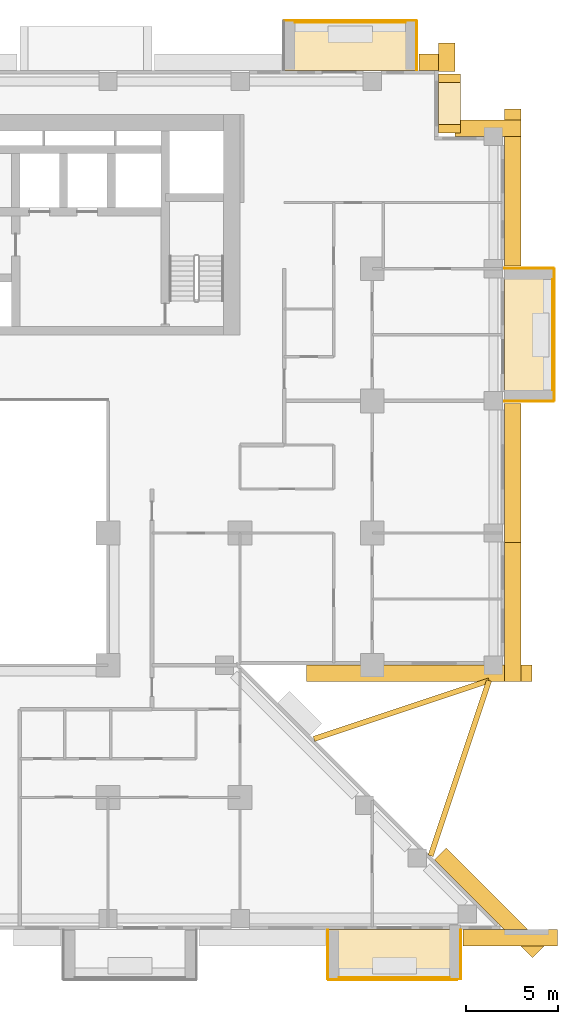
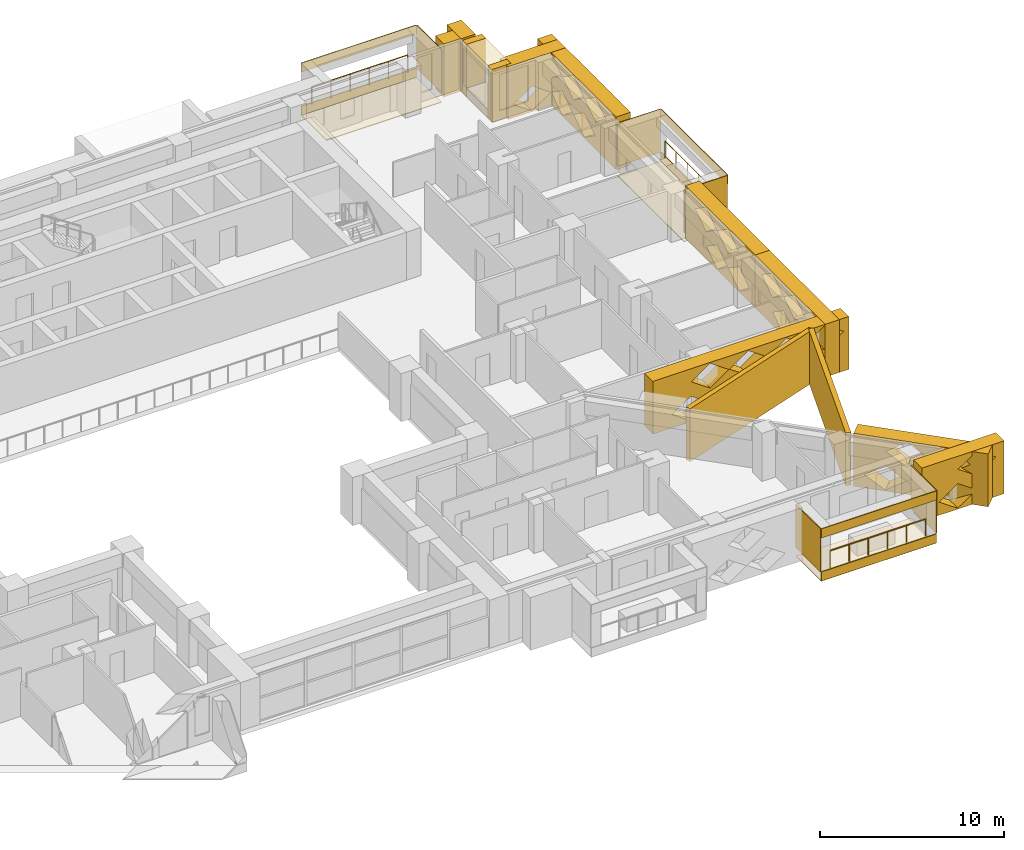
# One storey, part 17 of 17: 29 coverings, 3 railings.
"""IFC4 building model written with IfcOpenShell, lengths in metres."""

from ifc_helpers import new_model, si_unit, direction, frame, origin, origin_2d, place, context, subcontext, project, spatial, polyline, circle, outline, extrude, material, layer, layer_set, type_object, element, save


model = new_model("IFC4")

# Units and contexts
model_context = context("Model", 3, precision=1e-05, world=origin(), true_north=direction((0.0, 1.0)))
body_context = subcontext(model_context, "Body", "Model", "MODEL_VIEW")
ifc_project = project(units=[si_unit("LENGTHUNIT", "METRE"), si_unit("AREAUNIT", "SQUARE_METRE"), si_unit("VOLUMEUNIT", "CUBIC_METRE"), si_unit("PLANEANGLEUNIT", "RADIAN"), si_unit("MASSUNIT", "GRAM", prefix="KILO")], contexts=[model_context])

# Site, building, storey
site_placement = place(None, origin())
site = spatial("IfcSite", under=ifc_project, at=site_placement, CompositionType="ELEMENT")
building_placement = place(site_placement, origin())
building = spatial("IfcBuilding", under=site, at=building_placement, Name="Saffron Iwan Residences", CompositionType="ELEMENT")
storey_placement = place(building_placement, frame((0.0, 0.0, 62.0)))
storey = spatial("IfcBuildingStorey", under=building, at=storey_placement, Name="L15", CompositionType="ELEMENT", Elevation=62.0)

# Railings
ifc_material_1 = material(Name="Stainless steel 316", Category="steel")
railing_type = type_object("IfcRailingType", Name="BALCONY GUARD 1150", PredefinedType="GUARDRAIL", material=ifc_material_1)
railing_1_placement = place(storey_placement, frame((89.02490234375, 63.0, 0.0)))
element("IfcRailing", 1, at=railing_1_placement, inside=storey, type_object=railing_type, Name="Balcony guard L15 F2-0", PredefinedType="GUARDRAIL", context=body_context, shape_type="SweptSolid", body=[
    extrude(circle(Radius=0.02392578125, at=origin_2d()), frame((0.0, 0.0, 1.1259765625), z_axis=(0.0, 1.0, 0.0), x_axis=(-1.0, 0.0, 0.0)), (0.0, 0.0, 1.0), 6.0),
    extrude(circle(Radius=0.02099609375, at=origin_2d()), origin(), (0.0, 0.0, 1.0), 1.101806640625),
    extrude(circle(Radius=0.02099609375, at=origin_2d()), frame((0.0, 1.199951171875, 0.0)), (0.0, 0.0, 1.0), 1.101806640625),
    extrude(circle(Radius=0.02099609375, at=origin_2d()), frame((0.0, 2.39990234375, 0.0)), (0.0, 0.0, 1.0), 1.101806640625),
    extrude(circle(Radius=0.02099609375, at=origin_2d()), frame((0.0, 3.60009765625, 0.0)), (0.0, 0.0, 1.0), 1.101806640625),
    extrude(circle(Radius=0.02099609375, at=origin_2d()), frame((0.0, 4.800048828125, 0.0)), (0.0, 0.0, 1.0), 1.101806640625),
    extrude(circle(Radius=0.02099609375, at=origin_2d()), frame((0.0, 6.0, 0.0)), (0.0, 0.0, 1.0), 1.101806640625),
])
railing_2_placement = place(storey_placement, frame((81.0, 83.02490234375, 0.0)))
element("IfcRailing", 2, at=railing_2_placement, inside=storey, type_object=railing_type, Name="Balcony guard L15 F5-0", PredefinedType="GUARDRAIL", context=body_context, shape_type="SweptSolid", body=[
    extrude(circle(Radius=0.02392578125, at=origin_2d()), frame((0.0, 0.0, 1.1259765625), z_axis=(-1.0, 0.0, 0.0), x_axis=(0.0, -1.0, 0.0)), (0.0, 0.0, 1.0), 6.0),
    extrude(circle(Radius=0.02099609375, at=origin_2d()), origin(), (0.0, 0.0, 1.0), 1.101806640625),
    extrude(circle(Radius=0.02099609375, at=origin_2d()), frame((-1.199951171875, 0.0, 0.0)), (0.0, 0.0, 1.0), 1.101806640625),
    extrude(circle(Radius=0.02099609375, at=origin_2d()), frame((-2.39990234375, 0.0, 0.0)), (0.0, 0.0, 1.0), 1.101806640625),
    extrude(circle(Radius=0.02099609375, at=origin_2d()), frame((-3.60009765625, 0.0, 0.0)), (0.0, 0.0, 1.0), 1.101806640625),
    extrude(circle(Radius=0.02099609375, at=origin_2d()), frame((-4.800048828125, 0.0, 0.0)), (0.0, 0.0, 1.0), 1.101806640625),
    extrude(circle(Radius=0.02099609375, at=origin_2d()), frame((-6.0, 0.0, 0.0)), (0.0, 0.0, 1.0), 1.101806640625),
])
railing_3_placement = place(storey_placement, frame((77.39990234375, 30.97509765625, 0.0)))
element("IfcRailing", 3, at=railing_3_placement, inside=storey, type_object=railing_type, Name="Balcony guard L15 11-3", PredefinedType="GUARDRAIL", context=body_context, shape_type="SweptSolid", body=[
    extrude(circle(Radius=0.02392578125, at=origin_2d()), frame((0.0, 0.0, 1.1259765625), z_axis=(1.0, 0.0, 0.0), x_axis=(0.0, 1.0, 0.0)), (0.0, 0.0, 1.0), 6.0),
    extrude(circle(Radius=0.02099609375, at=origin_2d()), origin(), (0.0, 0.0, 1.0), 1.101806640625),
    extrude(circle(Radius=0.02099609375, at=origin_2d()), frame((1.199951171875, 0.0, 0.0)), (0.0, 0.0, 1.0), 1.101806640625),
    extrude(circle(Radius=0.02099609375, at=origin_2d()), frame((2.39990234375, 0.0, 0.0)), (0.0, 0.0, 1.0), 1.101806640625),
    extrude(circle(Radius=0.02099609375, at=origin_2d()), frame((3.60009765625, 0.0, 0.0)), (0.0, 0.0, 1.0), 1.101806640625),
    extrude(circle(Radius=0.02099609375, at=origin_2d()), frame((4.800048828125, 0.0, 0.0)), (0.0, 0.0, 1.0), 1.101806640625),
    extrude(circle(Radius=0.02099609375, at=origin_2d()), frame((6.0, 0.0, 0.0)), (0.0, 0.0, 1.0), 1.101806640625),
])

# Coverings
ifc_material_2 = material(Name="Precast concrete C40/50 white painted", Category="concrete")
ifc_layer_1 = layer(ifc_material_2, 0.050048828125)
ifc_layer_set_1 = layer_set([ifc_layer_1], Name="Precast concrete C40/50 white painted")
covering_type_1 = type_object("IfcCoveringType", Name="FRAME SKIN PRECAST WHITE 50", PredefinedType="CLADDING", material=ifc_layer_set_1)
for number, where, name in (
    (4, (0.0, 0.0, -0.60009765625), "Frame skin slab edge L15 F2-0"),
    (5, (0.0, 0.0, 2.25), "Frame skin fascia L15 F2-0"),
):
    element("IfcCovering", number, at=place(storey_placement, frame(where)), inside=storey, type_object=covering_type_1, Name=name, PredefinedType="CLADDING", context=body_context, shape_type="SweptSolid", body=[
        extrude(outline(polyline([(89.14990234375, 62.39990234375), (89.14990234375, 69.60009765625), (89.10009765625, 69.60009765625), (89.10009765625, 62.39990234375), (89.14990234375, 62.39990234375)])), origin(), (0.0, 0.0, 1.0), 0.60009765625),
    ])
covering_1_placement = place(storey_placement, frame((0.0, 0.0, -0.64990234375)))
element("IfcCovering", 6, at=covering_1_placement, inside=storey, type_object=covering_type_1, Name="Frame skin soffit L15 F2-0", PredefinedType="CLADDING", context=body_context, shape_type="SweptSolid", body=[
    extrude(outline(polyline([(89.10009765625, 62.39990234375), (89.10009765625, 69.60009765625), (86.39990234375, 69.60009765625), (86.39990234375, 62.39990234375), (89.10009765625, 62.39990234375)])), origin(), (0.0, 0.0, 1.0), 0.0498046875),
])
covering_2_placement = place(storey_placement, origin())
element("IfcCovering", 7, at=covering_2_placement, inside=storey, type_object=covering_type_1, Name="Frame skin fin L15 F2-0a", PredefinedType="CLADDING", context=body_context, shape_type="SweptSolid", body=[
    extrude(outline(polyline([(89.10009765625, 62.35009765625), (89.10009765625, 62.39990234375), (86.39990234375, 62.39990234375), (86.39990234375, 62.35009765625), (89.10009765625, 62.35009765625)])), origin(), (0.0, 0.0, 1.0), 2.85009765625),
])
covering_3_placement = place(storey_placement, origin())
element("IfcCovering", 8, at=covering_3_placement, inside=storey, type_object=covering_type_1, Name="Frame skin fin L15 F2-0b", PredefinedType="CLADDING", context=body_context, shape_type="SweptSolid", body=[
    extrude(outline(polyline([(89.10009765625, 69.60009765625), (89.10009765625, 69.64990234375), (86.39990234375, 69.64990234375), (86.39990234375, 69.60009765625), (89.10009765625, 69.60009765625)])), origin(), (0.0, 0.0, 1.0), 2.85009765625),
])
for number, where, name in (
    (9, (0.0, 0.0, -0.60009765625), "Frame skin slab edge L15 F5-0"),
    (10, (0.0, 0.0, 2.25), "Frame skin fascia L15 F5-0"),
):
    element("IfcCovering", number, at=place(storey_placement, frame(where)), inside=storey, type_object=covering_type_1, Name=name, PredefinedType="CLADDING", context=body_context, shape_type="SweptSolid", body=[
        extrude(outline(polyline([(81.60009765625, 83.14990234375), (74.39990234375, 83.14990234375), (74.39990234375, 83.10009765625), (81.60009765625, 83.10009765625), (81.60009765625, 83.14990234375)])), origin(), (0.0, 0.0, 1.0), 0.60009765625),
    ])
covering_4_placement = place(storey_placement, frame((0.0, 0.0, -0.64990234375)))
element("IfcCovering", 11, at=covering_4_placement, inside=storey, type_object=covering_type_1, Name="Frame skin soffit L15 F5-0", PredefinedType="CLADDING", context=body_context, shape_type="SweptSolid", body=[
    extrude(outline(polyline([(81.60009765625, 83.10009765625), (74.39990234375, 83.10009765625), (74.39990234375, 80.39990234375), (81.60009765625, 80.39990234375), (81.60009765625, 83.10009765625)])), origin(), (0.0, 0.0, 1.0), 0.0498046875),
])
covering_5_placement = place(storey_placement, origin())
element("IfcCovering", 12, at=covering_5_placement, inside=storey, type_object=covering_type_1, Name="Frame skin fin L15 F5-0a", PredefinedType="CLADDING", context=body_context, shape_type="SweptSolid", body=[
    extrude(outline(polyline([(81.64990234375, 83.10009765625), (81.60009765625, 83.10009765625), (81.60009765625, 80.39990234375), (81.64990234375, 80.39990234375), (81.64990234375, 83.10009765625)])), origin(), (0.0, 0.0, 1.0), 2.85009765625),
])
for number, where, name in (
    (13, (0.0, 0.0, -0.60009765625), "Frame skin slab edge L15 11-3"),
    (14, (0.0, 0.0, 2.25), "Frame skin fascia L15 11-3"),
):
    element("IfcCovering", number, at=place(storey_placement, frame(where)), inside=storey, type_object=covering_type_1, Name=name, PredefinedType="CLADDING", context=body_context, shape_type="SweptSolid", body=[
        extrude(outline(polyline([(76.800048828125, 30.85009765625), (84.0, 30.85009765625), (84.0, 30.89990234375), (76.800048828125, 30.89990234375), (76.800048828125, 30.85009765625)])), origin(), (0.0, 0.0, 1.0), 0.60009765625),
    ])
covering_6_placement = place(storey_placement, frame((0.0, 0.0, -0.64990234375)))
element("IfcCovering", 15, at=covering_6_placement, inside=storey, type_object=covering_type_1, Name="Frame skin soffit L15 11-3", PredefinedType="CLADDING", context=body_context, shape_type="SweptSolid", body=[
    extrude(outline(polyline([(76.800048828125, 30.89990234375), (84.0, 30.89990234375), (84.0, 33.60009765625), (76.800048828125, 33.60009765625), (76.800048828125, 30.89990234375)])), origin(), (0.0, 0.0, 1.0), 0.0498046875),
])
covering_7_placement = place(storey_placement, origin())
element("IfcCovering", 16, at=covering_7_placement, inside=storey, type_object=covering_type_1, Name="Frame skin fin L15 11-3a", PredefinedType="CLADDING", context=body_context, shape_type="SweptSolid", body=[
    extrude(outline(polyline([(76.75, 30.89990234375), (76.800048828125, 30.89990234375), (76.800048828125, 33.60009765625), (76.75, 33.60009765625), (76.75, 30.89990234375)])), origin(), (0.0, 0.0, 1.0), 2.85009765625),
])
covering_8_placement = place(storey_placement, origin())
element("IfcCovering", 17, at=covering_8_placement, inside=storey, type_object=covering_type_1, Name="Frame skin fin L15 11-3b", PredefinedType="CLADDING", context=body_context, shape_type="SweptSolid", body=[
    extrude(outline(polyline([(84.0, 30.89990234375), (84.050048828125, 30.89990234375), (84.050048828125, 33.60009765625), (84.0, 33.60009765625), (84.0, 30.89990234375)])), origin(), (0.0, 0.0, 1.0), 2.85009765625),
])
ifc_material_3 = material(Name="Precast concrete C40/50", Category="concrete")
covering_type_2 = type_object("IfcCoveringType", Name="OUTER SKIN LATTICE SCREEN", PredefinedType="CLADDING", material=ifc_material_3)
covering_9_placement = place(storey_placement, frame((87.939453125, 32.060546875, -0.320068359375), z_axis=(0.706971125213, 0.70724241114, 0.0), x_axis=(-0.70724241114, 0.706971125213, 0.0)))
element("IfcCovering", 18, at=covering_9_placement, inside=storey, type_object=covering_type_2, Name="OUTER SKIN lattice screen L15 F0.0", PredefinedType="CLADDING", context=body_context, shape_type="SweptSolid", body=[
    extrude(outline(polyline([(0.0, 0.0), (7.559326171875, 0.0), (7.559326171875, 3.5), (0.0, 3.5), (0.0, 0.0)]), holes=[polyline([(2.197021484375, 0.875), (3.377197265625, 0.06005859375), (4.55712890625, 0.875), (3.377197265625, 1.68994140625), (2.197021484375, 0.875)]), polyline([(4.59716796875, 0.875), (5.777099609375, 0.06005859375), (6.95703125, 0.875), (5.777099609375, 1.68994140625), (4.59716796875, 0.875)]), polyline([(0.9970703125, 2.625), (2.177001953125, 1.81005859375), (3.357177734375, 2.625), (2.177001953125, 3.43994140625), (0.9970703125, 2.625)]), polyline([(3.397216796875, 2.625), (4.5771484375, 1.81005859375), (5.757080078125, 2.625), (4.5771484375, 3.43994140625), (3.397216796875, 2.625)])]), origin(), (0.0, 0.0, 1.0), 0.89990234375),
])
covering_10_placement = place(storey_placement, frame((75.6171875, 48.0, -0.320068359375), z_axis=(0.0, -1.0, 0.0), x_axis=(1.0, 0.0, 0.0)))
element("IfcCovering", 19, at=covering_10_placement, inside=storey, type_object=covering_type_2, Name="OUTER SKIN lattice screen L15 F1.0", PredefinedType="CLADDING", context=body_context, shape_type="SweptSolid", body=[
    extrude(outline(polyline([(0.0, 0.0), (12.282958984375, 0.0), (12.282958984375, 3.5), (0.0, 3.5), (0.0, 0.0)]), holes=[polyline([(1.202880859375, 0.875), (2.3828125, 0.06005859375), (3.56298828125, 0.875), (2.3828125, 1.68994140625), (1.202880859375, 0.875)]), polyline([(3.602783203125, 0.875), (4.782958984375, 0.06005859375), (5.962890625, 0.875), (4.782958984375, 1.68994140625), (3.602783203125, 0.875)]), polyline([(6.0029296875, 0.875), (7.182861328125, 0.06005859375), (8.36279296875, 0.875), (7.182861328125, 1.68994140625), (6.0029296875, 0.875)]), polyline([(8.40283203125, 0.875), (9.5830078125, 0.06005859375), (10.762939453125, 0.875), (9.5830078125, 1.68994140625), (8.40283203125, 0.875)]), polyline([(2.40283203125, 2.625), (3.5830078125, 1.81005859375), (4.762939453125, 2.625), (3.5830078125, 3.43994140625), (2.40283203125, 2.625)]), polyline([(4.802978515625, 2.625), (5.98291015625, 1.81005859375), (7.162841796875, 2.625), (5.98291015625, 3.43994140625), (4.802978515625, 2.625)]), polyline([(7.202880859375, 2.625), (8.3828125, 1.81005859375), (9.56298828125, 2.625), (8.3828125, 3.43994140625), (7.202880859375, 2.625)]), polyline([(9.602783203125, 2.625), (10.782958984375, 1.81005859375), (11.962890625, 2.625), (10.782958984375, 3.43994140625), (9.602783203125, 2.625)])]), origin(), (0.0, 0.0, 1.0), 0.89990234375),
])
covering_11_placement = place(storey_placement, frame((86.39990234375, 47.10009765625, -0.320068359375), z_axis=(1.0, 0.0, 0.0), x_axis=(0.0, 1.0, 0.0)))
element("IfcCovering", 20, at=covering_11_placement, inside=storey, type_object=covering_type_2, Name="OUTER SKIN lattice screen L15 F2.0", PredefinedType="CLADDING", context=body_context, shape_type="SweptSolid", body=[
    extrude(outline(polyline([(0.0, 0.0), (7.574951171875, 0.0), (7.574951171875, 3.5), (0.0, 3.5), (0.0, 0.0)]), holes=[polyline([(0.919921875, 0.875), (2.10009765625, 0.06005859375), (3.280029296875, 0.875), (2.10009765625, 1.68994140625), (0.919921875, 0.875)]), polyline([(3.320068359375, 0.875), (4.5, 0.06005859375), (5.679931640625, 0.875), (4.5, 1.68994140625), (3.320068359375, 0.875)]), polyline([(2.1201171875, 2.625), (3.300048828125, 1.81005859375), (4.47998046875, 2.625), (3.300048828125, 3.43994140625), (2.1201171875, 2.625)]), polyline([(4.52001953125, 2.625), (5.699951171875, 1.81005859375), (6.8798828125, 2.625), (5.699951171875, 3.43994140625), (4.52001953125, 2.625)])]), origin(), (0.0, 0.0, 1.0), 0.900146484375),
])
covering_12_placement = place(storey_placement, frame((86.39990234375, 54.675048828125, -0.320068359375), z_axis=(1.0, 0.0, 0.0), x_axis=(0.0, 1.0, 0.0)))
element("IfcCovering", 21, at=covering_12_placement, inside=storey, type_object=covering_type_2, Name="OUTER SKIN lattice screen L15 F2.1", PredefinedType="CLADDING", context=body_context, shape_type="SweptSolid", body=[
    extrude(outline(polyline([(0.0, 0.0), (7.574951171875, 0.0), (7.574951171875, 3.5), (0.0, 3.5), (0.0, 0.0)]), holes=[polyline([(0.544921875, 0.875), (1.72509765625, 0.06005859375), (2.905029296875, 0.875), (1.72509765625, 1.68994140625), (0.544921875, 0.875)]), polyline([(2.945068359375, 0.875), (4.125, 0.06005859375), (5.304931640625, 0.875), (4.125, 1.68994140625), (2.945068359375, 0.875)]), polyline([(1.7451171875, 2.625), (2.925048828125, 1.81005859375), (4.10498046875, 2.625), (2.925048828125, 3.43994140625), (1.7451171875, 2.625)]), polyline([(4.14501953125, 2.625), (5.324951171875, 1.81005859375), (6.5048828125, 2.625), (5.324951171875, 3.43994140625), (4.14501953125, 2.625)])]), origin(), (0.0, 0.0, 1.0), 0.900146484375),
])
covering_13_placement = place(storey_placement, frame((86.39990234375, 69.75, -0.320068359375), z_axis=(1.0, 0.0, 0.0), x_axis=(0.0, 1.0, 0.0)))
element("IfcCovering", 22, at=covering_13_placement, inside=storey, type_object=covering_type_2, Name="OUTER SKIN lattice screen L15 F2.2", PredefinedType="CLADDING", context=body_context, shape_type="SweptSolid", body=[
    extrude(outline(polyline([(0.0, 0.0), (8.550048828125, 0.0), (8.550048828125, 3.5), (0.0, 3.5), (0.0, 0.0)]), holes=[polyline([(2.27001953125, 0.875), (3.449951171875, 0.06005859375), (4.6298828125, 0.875), (3.449951171875, 1.68994140625), (2.27001953125, 0.875)]), polyline([(4.669921875, 0.875), (5.85009765625, 0.06005859375), (7.030029296875, 0.875), (5.85009765625, 1.68994140625), (4.669921875, 0.875)]), polyline([(1.070068359375, 2.625), (2.25, 1.81005859375), (3.429931640625, 2.625), (2.25, 3.43994140625), (1.070068359375, 2.625)]), polyline([(3.469970703125, 2.625), (4.64990234375, 1.81005859375), (5.830078125, 2.625), (4.64990234375, 3.43994140625), (3.469970703125, 2.625)]), polyline([(5.8701171875, 2.625), (7.050048828125, 1.81005859375), (8.22998046875, 2.625), (7.050048828125, 3.43994140625), (5.8701171875, 2.625)])]), origin(), (0.0, 0.0, 1.0), 0.900146484375),
])
covering_14_placement = place(storey_placement, frame((87.300048828125, 76.800048828125, -0.320068359375), z_axis=(0.0, 1.0, 0.0), x_axis=(-1.0, 0.0, 0.0)))
element("IfcCovering", 23, at=covering_14_placement, inside=storey, type_object=covering_type_2, Name="OUTER SKIN lattice screen L15 F3.0", PredefinedType="CLADDING", context=body_context, shape_type="SweptSolid", body=[
    extrude(outline(polyline([(0.0, 0.0), (3.60009765625, 0.0), (3.60009765625, 3.5), (0.0, 3.5), (0.0, 0.0)]), holes=[polyline([(0.919921875, 0.875), (2.10009765625, 0.06005859375), (3.280029296875, 0.875), (2.10009765625, 1.68994140625), (0.919921875, 0.875)])]), origin(), (0.0, 0.0, 1.0), 0.89990234375),
])
covering_15_placement = place(storey_placement, frame((82.800048828125, 80.35009765625, -0.320068359375), z_axis=(1.0, 0.0, 0.0), x_axis=(0.0, 1.0, 0.0)))
element("IfcCovering", 24, at=covering_15_placement, inside=storey, type_object=covering_type_2, Name="OUTER SKIN lattice screen L15 F4.0", PredefinedType="CLADDING", context=body_context, shape_type="SweptSolid", body=[
    extrude(outline(polyline([(0.0, 0.0), (1.550048828125, 0.0), (1.550048828125, 3.5), (0.0, 3.5), (0.0, 0.0)])), origin(), (0.0, 0.0, 1.0), 0.89990234375),
])
covering_16_placement = place(storey_placement, frame((83.699951171875, 80.39990234375, -0.320068359375), z_axis=(0.0, 1.0, 0.0), x_axis=(-1.0, 0.0, 0.0)))
element("IfcCovering", 25, at=covering_16_placement, inside=storey, type_object=covering_type_2, Name="OUTER SKIN lattice screen L15 F5.0", PredefinedType="CLADDING", context=body_context, shape_type="SweptSolid", body=[
    extrude(outline(polyline([(0.0, 0.0), (1.949951171875, 0.0), (1.949951171875, 3.5), (0.0, 3.5), (0.0, 0.0)])), origin(), (0.0, 0.0, 1.0), 0.900146484375),
])
covering_17_placement = place(storey_placement, frame((84.14990234375, 33.60009765625, -0.320068359375), z_axis=(0.0, -1.0, 0.0), x_axis=(1.0, 0.0, 0.0)))
element("IfcCovering", 26, at=covering_17_placement, inside=storey, type_object=covering_type_2, Name="OUTER SKIN lattice screen L15 F11.4", PredefinedType="CLADDING", context=body_context, shape_type="SweptSolid", body=[
    extrude(outline(polyline([(0.0, 0.0), (5.147216796875, 0.0), (5.147216796875, 3.5), (0.0, 3.5), (0.0, 0.0)]), holes=[polyline([(1.070068359375, 0.875), (2.25, 0.06005859375), (3.429931640625, 0.875), (2.25, 1.68994140625), (1.070068359375, 0.875)]), polyline([(2.27001953125, 2.625), (3.449951171875, 1.81005859375), (4.6298828125, 2.625), (3.449951171875, 3.43994140625), (2.27001953125, 2.625)])]), origin(), (0.0, 0.0, 1.0), 0.900146484375),
])
ifc_layer_2 = layer(ifc_material_2, 0.300048828125)
ifc_layer_set_2 = layer_set([ifc_layer_2], Name="Precast concrete C40/50 white painted")
covering_type_3 = type_object("IfcCoveringType", Name="PROW NOSE BLADE PRECAST WHITE", PredefinedType="CLADDING", material=ifc_layer_set_2)
covering_18_placement = place(storey_placement, frame((0.0, 0.0, -0.320068359375)))
element("IfcCovering", 27, at=covering_18_placement, inside=storey, type_object=covering_type_3, Name="Prow nose blade L15 a", PredefinedType="CLADDING", context=body_context, shape_type="SweptSolid", body=[
    extrude(outline(polyline([(82.5244140625, 37.570556640625), (85.706298828125, 47.116455078125), (85.421630859375, 47.21142578125), (82.23974609375, 37.66552734375), (82.5244140625, 37.570556640625)])), origin(), (0.0, 0.0, 1.0), 3.5),
])
covering_19_placement = place(storey_placement, frame((0.0, 0.0, -0.320068359375)))
element("IfcCovering", 28, at=covering_19_placement, inside=storey, type_object=covering_type_3, Name="Prow nose blade L15 b", PredefinedType="CLADDING", context=body_context, shape_type="SweptSolid", body=[
    extrude(outline(polyline([(76.0654296875, 43.839599609375), (85.611328125, 47.021728515625), (85.5166015625, 47.306396484375), (75.970703125, 44.124267578125), (76.0654296875, 43.839599609375)])), origin(), (0.0, 0.0, 1.0), 3.5),
])
covering_type_4 = type_object("IfcCoveringType", Name="WHITE SUN FRAME PRECAST", PredefinedType="CLADDING", material=ifc_material_2)
for number, where, z_axis, x_axis, name in (
    (29, (82.800048828125, 77.0, -0.320068359375), (1.0, 0.0, 0.0), (0.0, 1.0, 0.0), "Sun frame L15 F4 0.2a"),
    (30, (82.800048828125, 79.75, -0.320068359375), (1.0, 0.0, 0.0), (0.0, 1.0, 0.0), "Sun frame L15 F4 0.2b"),
):
    element("IfcCovering", number, at=place(storey_placement, frame(where, z_axis=z_axis, x_axis=x_axis)), inside=storey, type_object=covering_type_4, Name=name, PredefinedType="CLADDING", context=body_context, shape_type="SweptSolid", body=[
        extrude(outline(polyline([(0.0, 0.0), (0.449951171875, 0.0), (0.449951171875, 3.5), (0.0, 3.5), (0.0, 0.0)])), origin(), (0.0, 0.0, 1.0), 1.199951171875),
    ])
for number, where, z_axis, x_axis, name in (
    (31, (82.800048828125, 77.449951171875, 2.580078125), (1.0, 0.0, 0.0), (0.0, 1.0, 0.0), "Sun frame L15 F4 0.2h"),
    (32, (82.800048828125, 77.449951171875, -0.320068359375), (1.0, 0.0, 0.0), (0.0, 1.0, 0.0), "Sun frame L15 F4 0.2s"),
):
    element("IfcCovering", number, at=place(storey_placement, frame(where, z_axis=z_axis, x_axis=x_axis)), inside=storey, type_object=covering_type_4, Name=name, PredefinedType="CLADDING", context=body_context, shape_type="SweptSolid", body=[
        extrude(outline(polyline([(0.0, 0.0), (2.300048828125, 0.0), (2.300048828125, 0.60009765625), (0.0, 0.60009765625), (0.0, 0.0)])), origin(), (0.0, 0.0, 1.0), 1.199951171875),
    ])

save(model, "model.ifc")
